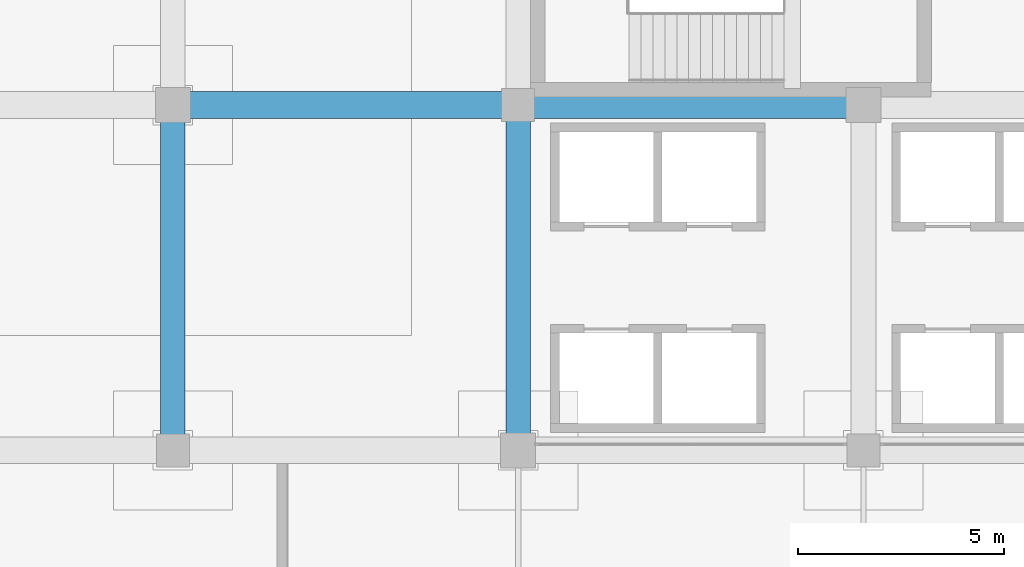
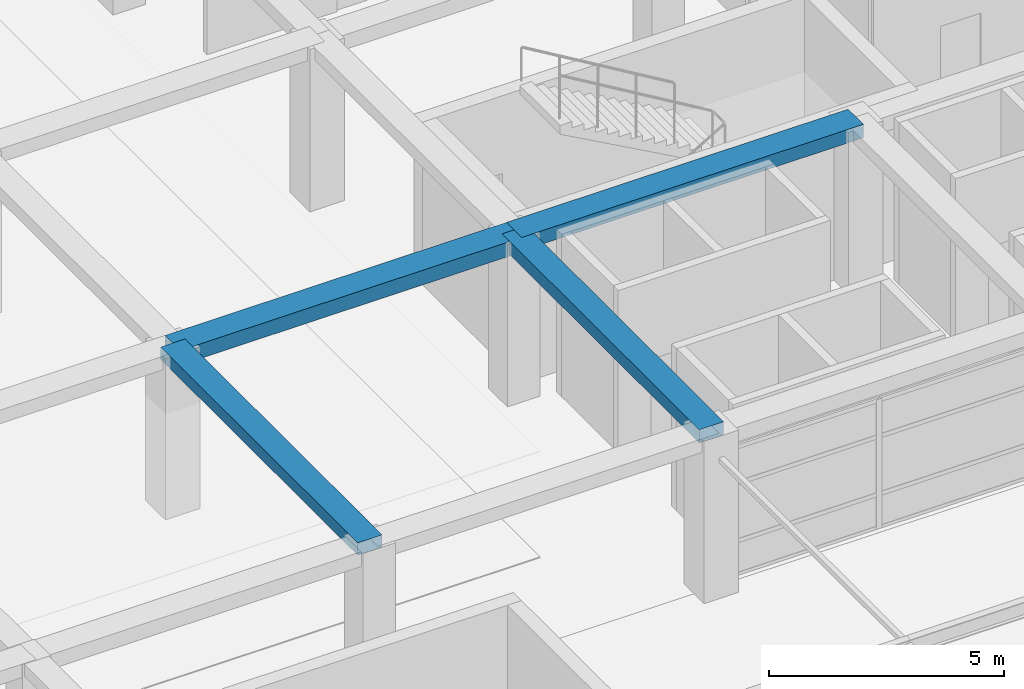
# One storey, part 34 of 85: 4 beams.
"""IFC4 building model written with IfcOpenShell, lengths in metres."""

from ifc_helpers import new_model, si_unit, direction, frame, origin, origin_2d, place, context, subcontext, project, spatial, rectangle, extrude, material, material_profile, profile_set, type_object, element, save


model = new_model("IFC4")

# Units and contexts
model_context = context("Model", 3, precision=1e-05, world=origin(), true_north=direction((0.0, 1.0)))
body_context = subcontext(model_context, "Body", "Model", "MODEL_VIEW")
ifc_project = project(units=[si_unit("LENGTHUNIT", "METRE"), si_unit("AREAUNIT", "SQUARE_METRE"), si_unit("VOLUMEUNIT", "CUBIC_METRE"), si_unit("PLANEANGLEUNIT", "RADIAN"), si_unit("MASSUNIT", "GRAM", prefix="KILO")], contexts=[model_context])

# Site, building, storey
site_placement = place(None, origin())
site = spatial("IfcSite", under=ifc_project, at=site_placement, CompositionType="ELEMENT")
building_placement = place(site_placement, origin())
building = spatial("IfcBuilding", under=site, at=building_placement, Name="Almacenes y Pasaje Nevantli", CompositionType="ELEMENT")
storey_placement = place(building_placement, frame((0.0, 0.0, 22.199951171875)))
storey = spatial("IfcBuildingStorey", under=building, at=storey_placement, Name="L05", CompositionType="ELEMENT", Elevation=22.199951171875)

# Beams
ifc_material_1 = material(Name="Concrete C35/45", Category="concrete")
ifc_material_profile_1 = material_profile(ifc_material_1, rectangle(XDim=0.60009765625, YDim=0.320068359375, at=origin_2d()), Name="RC-BM-600x320")
ifc_profile_set_1 = profile_set([ifc_material_profile_1], Name="Concrete C35/45")
beam_type_1 = type_object("IfcBeamType", Name="BM-RC-600x320", PredefinedType="BEAM", material=ifc_profile_set_1)
beam_1_placement = place(storey_placement, frame((109.199951171875, 67.199951171875, 4.06005859375), z_axis=(0.0, 1.0, 0.0), x_axis=(-1.0, 0.0, 0.0)))
element("IfcBeam", 1, at=beam_1_placement, inside=storey, type_object=beam_type_1, Name="L05 North-South Reinforced Concrete Beam #3498", PredefinedType="BEAM", context=body_context, shape_type="SweptSolid", body=[
    extrude(rectangle(XDim=0.60009765625, YDim=0.320068359375, at=origin_2d()), origin(), (0.0, 0.0, 1.0), 8.400146484375),
])
ifc_material_2 = material(Name="Concrete C35/45", Category="concrete")
ifc_material_profile_2 = material_profile(ifc_material_2, rectangle(XDim=0.60009765625, YDim=0.340087890625, at=origin_2d()), Name="RC-BM-600x340")
ifc_profile_set_2 = profile_set([ifc_material_profile_2], Name="Concrete C35/45")
beam_type_2 = type_object("IfcBeamType", Name="BM-RC-600x340", PredefinedType="BEAM", material=ifc_profile_set_2)
beam_2_placement = place(storey_placement, frame((117.60009765625, 67.199951171875, 4.050048828125), z_axis=(0.0, 1.0, 0.0), x_axis=(-1.0, 0.0, 0.0)))
element("IfcBeam", 2, at=beam_2_placement, inside=storey, type_object=beam_type_2, Name="L05 North-South Reinforced Concrete Beam #3507", PredefinedType="BEAM", context=body_context, shape_type="SweptSolid", body=[
    extrude(rectangle(XDim=0.60009765625, YDim=0.340087890625, at=origin_2d()), origin(), (0.0, 0.0, 1.0), 8.400146484375),
])
ifc_material_3 = material(Name="Concrete C35/45", Category="concrete")
ifc_material_profile_3 = material_profile(ifc_material_3, rectangle(XDim=0.64990234375, YDim=0.35009765625, at=origin_2d()), Name="RC-BM-650x350")
ifc_profile_set_3 = profile_set([ifc_material_profile_3], Name="Concrete C35/45")
beam_type_3 = type_object("IfcBeamType", Name="BM-RC-650x350", PredefinedType="BEAM", material=ifc_profile_set_3)
beam_3_placement = place(storey_placement, frame((117.60009765625, 75.60009765625, 4.045166015625), z_axis=(1.0, 0.0, 0.0), x_axis=(0.0, 1.0, 0.0)))
element("IfcBeam", 3, at=beam_3_placement, inside=storey, type_object=beam_type_3, Name="L05 East-West Reinforced Concrete Beam #3331", PredefinedType="BEAM", context=body_context, shape_type="SweptSolid", body=[
    extrude(rectangle(XDim=0.64990234375, YDim=0.35009765625, at=origin_2d()), origin(), (0.0, 0.0, 1.0), 8.39990234375),
])
ifc_material_4 = material(Name="Concrete C35/45", Category="concrete")
ifc_material_profile_4 = material_profile(ifc_material_4, rectangle(XDim=0.64990234375, YDim=0.3798828125, at=origin_2d()), Name="RC-BM-650x380")
ifc_profile_set_4 = profile_set([ifc_material_profile_4], Name="Concrete C35/45")
beam_type_4 = type_object("IfcBeamType", Name="BM-RC-650x380", PredefinedType="BEAM", material=ifc_profile_set_4)
beam_4_placement = place(storey_placement, frame((109.199951171875, 75.60009765625, 4.030029296875), z_axis=(1.0, 0.0, 0.0), x_axis=(0.0, 1.0, 0.0)))
element("IfcBeam", 4, at=beam_4_placement, inside=storey, type_object=beam_type_4, Name="L05 East-West Reinforced Concrete Beam #3330", PredefinedType="BEAM", context=body_context, shape_type="SweptSolid", body=[
    extrude(rectangle(XDim=0.64990234375, YDim=0.3798828125, at=origin_2d()), origin(), (0.0, 0.0, 1.0), 8.400146484375),
])

save(model, "model.ifc")
